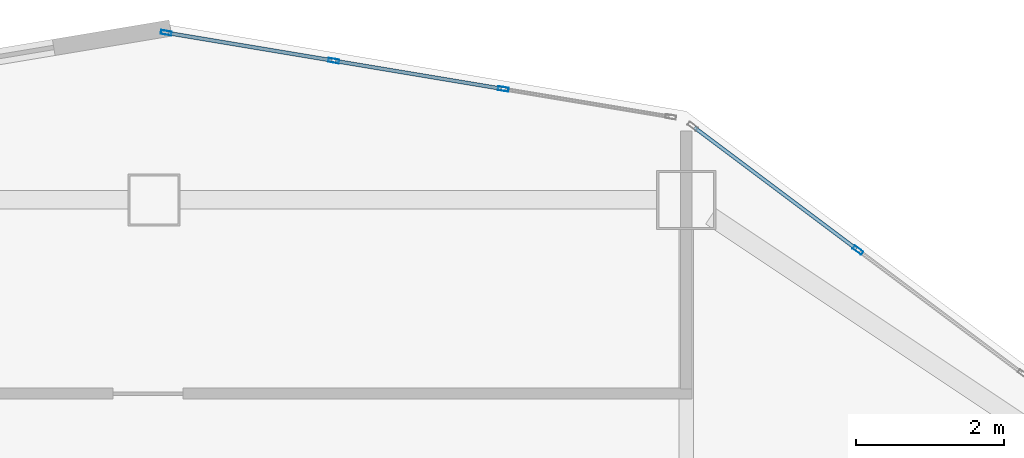
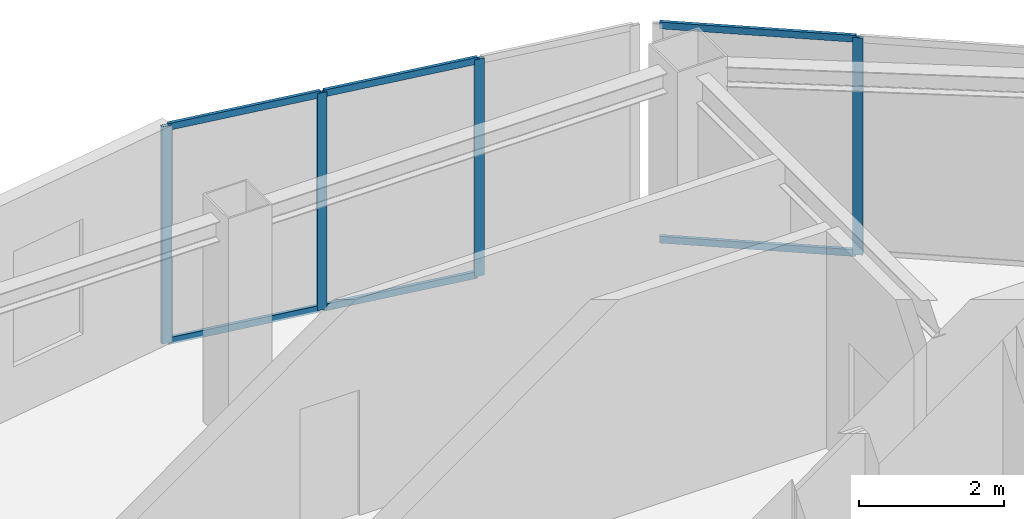
# One storey, part 2 of 10: 10 members, 2 elements without a shape of their own.
"""IFC4 building model written with IfcOpenShell, lengths in metres."""

from ifc_helpers import new_model, si_unit, direction, frame, origin, origin_2d, place, context, subcontext, project, spatial, hollow_rectangle, extrude, material, layer, layer_set, material_profile, profile_set, type_object, element, aggregate, save


model = new_model("IFC4")

# Units and contexts
model_context = context("Model", 3, precision=1e-05, world=origin(), true_north=direction((0.0, 1.0)))
body_context = subcontext(model_context, "Body", "Model", "MODEL_VIEW")
ifc_project = project(units=[si_unit("LENGTHUNIT", "METRE"), si_unit("AREAUNIT", "SQUARE_METRE"), si_unit("VOLUMEUNIT", "CUBIC_METRE"), si_unit("PLANEANGLEUNIT", "RADIAN"), si_unit("MASSUNIT", "GRAM", prefix="KILO")], contexts=[model_context])

# Site, building, storey
site_placement = place(None, origin())
site = spatial("IfcSite", under=ifc_project, at=site_placement, CompositionType="ELEMENT")
building_placement = place(site_placement, origin())
building = spatial("IfcBuilding", under=site, at=building_placement, Name="Haolan Belvedere Tower", CompositionType="ELEMENT")
storey_placement = place(building_placement, frame((0.0, 0.0, 266.0)))
storey = spatial("IfcBuildingStorey", under=building, at=storey_placement, Name="L67", CompositionType="ELEMENT", Elevation=266.0)

# Curtain wall, member
ifc_material_1 = material(Name="Anodised champagne-silver aluminium 6063-T6 and Low-E glass", Category="aluminium")
ifc_layer = layer(ifc_material_1, 0.14501953125, Name="Anodised champagne-silver aluminium 6063-T6 and Low-E glass")
ifc_layer_set = layer_set([ifc_layer], Name="Anodised champagne-silver aluminium 6063-T6 and Low-E glass")
curtain_wall_type = type_object("IfcCurtainWallType", Name="CW-SYS-05", PredefinedType="NOTDEFINED", material=ifc_layer_set)
curtain_wall_1_placement = place(storey_placement, origin())
curtain_wall_1 = element("IfcCurtainWall", 1, at=curtain_wall_1_placement, inside=storey, type_object=curtain_wall_type, Name="L67 CW-SYS-05 ribbon curtain wall 8.1", PredefinedType="NOTDEFINED")
ifc_material_2 = material(Name="Anodised aluminium 6063-T6", Category="aluminium")
ifc_material_profile_1 = material_profile(ifc_material_2, hollow_rectangle(XDim=0.053955078125, YDim=0.14501953125, WallThickness=0.00390625, at=origin_2d()), Name="Anodised aluminium 6063-T6")
ifc_profile_set_1 = profile_set([ifc_material_profile_1], Name="Anodised aluminium 6063-T6")
member_type_1 = type_object("IfcMemberType", Name="CW-SYS-05-MUL", PredefinedType="MULLION", material=ifc_profile_set_1)
member_1_placement = place(storey_placement, frame((47.9228515625, 49.720458984375, 0.0), z_axis=(0.0, 0.0, 1.0), x_axis=(-0.600002837806, -0.799997871638, 0.0)))
member_1 = element("IfcMember", 2, at=member_1_placement, type_object=member_type_1, Name="CW-05 mullion 2", PredefinedType="MULLION", context=body_context, shape_type="SweptSolid", body=[
    extrude(hollow_rectangle(XDim=0.053955078125, YDim=0.14501953125, WallThickness=0.00390625, at=origin_2d()), origin(), (0.0, 0.0, 1.0), 3.669921875),
])

# Curtain wall, members
curtain_wall_2_placement = place(storey_placement, origin())
curtain_wall_2 = element("IfcCurtainWall", 3, at=curtain_wall_2_placement, inside=storey, type_object=curtain_wall_type, Name="L67 CW-SYS-05 ribbon curtain wall 9.1", PredefinedType="NOTDEFINED")
member_2_placement = place(storey_placement, frame((43.124267578125, 51.901123046875, 0.0), z_axis=(0.0, 0.0, 1.0), x_axis=(-0.164405962825, -0.98639276122, 0.0)))
member_2 = element("IfcMember", 4, at=member_2_placement, type_object=member_type_1, Name="CW-05 mullion 2", PredefinedType="MULLION", context=body_context, shape_type="SweptSolid", body=[
    extrude(hollow_rectangle(XDim=0.053955078125, YDim=0.14501953125, WallThickness=0.00390625, at=origin_2d()), origin(), (0.0, 0.0, 1.0), 3.669921875),
])
member_3_placement = place(storey_placement, frame((40.831298828125, 52.283203125, 0.0), z_axis=(0.0, 0.0, 1.0), x_axis=(-0.164405962825, -0.98639276122, 0.0)))
member_3 = element("IfcMember", 5, at=member_3_placement, type_object=member_type_1, Name="CW-05 mullion 3", PredefinedType="MULLION", context=body_context, shape_type="SweptSolid", body=[
    extrude(hollow_rectangle(XDim=0.053955078125, YDim=0.14501953125, WallThickness=0.00390625, at=origin_2d()), origin(), (0.0, 0.0, 1.0), 3.669921875),
])
member_4_placement = place(storey_placement, frame((38.564697265625, 52.6611328125, 0.0), z_axis=(0.0, 0.0, 1.0), x_axis=(-0.164405962825, -0.98639276122, 0.0)))
member_4 = element("IfcMember", 6, at=member_4_placement, type_object=member_type_1, Name="CW-05 mullion 4", PredefinedType="MULLION", context=body_context, shape_type="SweptSolid", body=[
    extrude(hollow_rectangle(XDim=0.053955078125, YDim=0.14501953125, WallThickness=0.00390625, at=origin_2d()), origin(), (0.0, 0.0, 1.0), 3.669921875),
])

# Member
ifc_material_profile_2 = material_profile(ifc_material_2, hollow_rectangle(XDim=0.050048828125, YDim=0.114990234375, WallThickness=0.00390625, at=origin_2d()), Name="Anodised aluminium 6063-T6")
ifc_profile_set_2 = profile_set([ifc_material_profile_2], Name="Anodised aluminium 6063-T6")
member_type_2 = type_object("IfcMemberType", Name="CW-SYS-05-TRN", PredefinedType="USERDEFINED", material=ifc_profile_set_2)
member_5_placement = place(storey_placement, frame((47.901123046875, 49.736572265625, 0.02490234375), z_axis=(-0.8, 0.6, 0.0), x_axis=(-0.6, -0.8, 0.0)))
member_5 = element("IfcMember", 7, at=member_5_placement, type_object=member_type_2, Name="CW-05 transom 2.1", ObjectType="TRANSOM", PredefinedType="USERDEFINED", context=body_context, shape_type="SweptSolid", body=[
    extrude(hollow_rectangle(XDim=0.050048828125, YDim=0.114990234375, WallThickness=0.00390625, at=origin_2d()), origin(), (0.0, 0.0, 1.0), 2.738037109375),
])

member_6_placement = place(storey_placement, frame((47.901123046875, 49.736572265625, 3.64501953125), z_axis=(-0.8, 0.6, 0.0), x_axis=(-0.6, -0.8, 0.0)))
member_6 = element("IfcMember", 8, at=member_6_placement, type_object=member_type_2, Name="CW-05 transom 2.2", ObjectType="TRANSOM", PredefinedType="USERDEFINED", context=body_context, shape_type="SweptSolid", body=[
    extrude(hollow_rectangle(XDim=0.050048828125, YDim=0.114990234375, WallThickness=0.00390625, at=origin_2d()), origin(), (0.0, 0.0, 1.0), 2.738037109375),
])

aggregate(curtain_wall_1, [member_1, member_5, member_6])

member_7_placement = place(storey_placement, frame((43.09765625, 51.905517578125, 0.02490234375), z_axis=(-0.986393923832, 0.164398987305, 0.0), x_axis=(-0.164398987305, -0.986393923832, 0.0)))
member_7 = element("IfcMember", 9, at=member_7_placement, type_object=member_type_2, Name="CW-05 transom 2.1", ObjectType="TRANSOM", PredefinedType="USERDEFINED", context=body_context, shape_type="SweptSolid", body=[
    extrude(hollow_rectangle(XDim=0.050048828125, YDim=0.114990234375, WallThickness=0.00390625, at=origin_2d()), origin(), (0.0, 0.0, 1.0), 2.270751953125),
])

member_8_placement = place(storey_placement, frame((43.09765625, 51.905517578125, 3.64501953125), z_axis=(-0.986393923832, 0.164398987305, 0.0), x_axis=(-0.164398987305, -0.986393923832, 0.0)))
member_8 = element("IfcMember", 10, at=member_8_placement, type_object=member_type_2, Name="CW-05 transom 2.2", ObjectType="TRANSOM", PredefinedType="USERDEFINED", context=body_context, shape_type="SweptSolid", body=[
    extrude(hollow_rectangle(XDim=0.050048828125, YDim=0.114990234375, WallThickness=0.00390625, at=origin_2d()), origin(), (0.0, 0.0, 1.0), 2.270751953125),
])

member_9_placement = place(storey_placement, frame((40.8046875, 52.287841796875, 0.02490234375), z_axis=(-0.986393923832, 0.164398987305, 0.0), x_axis=(-0.164398987305, -0.986393923832, 0.0)))
member_9 = element("IfcMember", 11, at=member_9_placement, type_object=member_type_2, Name="CW-05 transom 3.1", ObjectType="TRANSOM", PredefinedType="USERDEFINED", context=body_context, shape_type="SweptSolid", body=[
    extrude(hollow_rectangle(XDim=0.050048828125, YDim=0.114990234375, WallThickness=0.00390625, at=origin_2d()), origin(), (0.0, 0.0, 1.0), 2.243896484375),
])

member_10_placement = place(storey_placement, frame((40.8046875, 52.287841796875, 3.64501953125), z_axis=(-0.986393923832, 0.164398987305, 0.0), x_axis=(-0.164398987305, -0.986393923832, 0.0)))
member_10 = element("IfcMember", 12, at=member_10_placement, type_object=member_type_2, Name="CW-05 transom 3.2", ObjectType="TRANSOM", PredefinedType="USERDEFINED", context=body_context, shape_type="SweptSolid", body=[
    extrude(hollow_rectangle(XDim=0.050048828125, YDim=0.114990234375, WallThickness=0.00390625, at=origin_2d()), origin(), (0.0, 0.0, 1.0), 2.243896484375),
])

aggregate(curtain_wall_2, [member_2, member_3, member_4, member_7, member_8, member_9, member_10])

save(model, "model.ifc")
